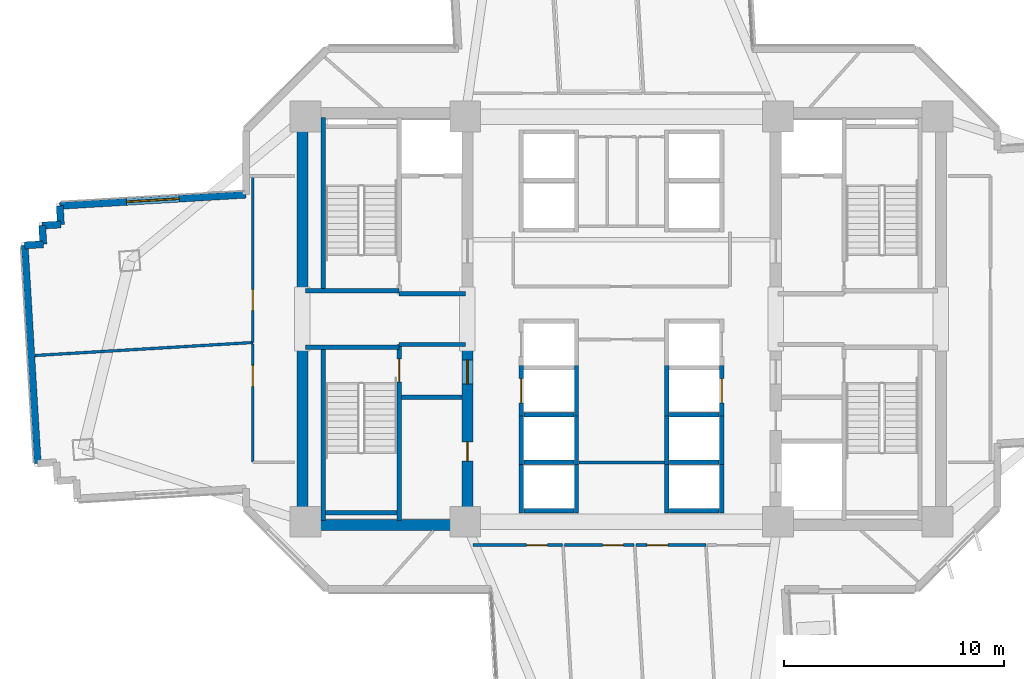
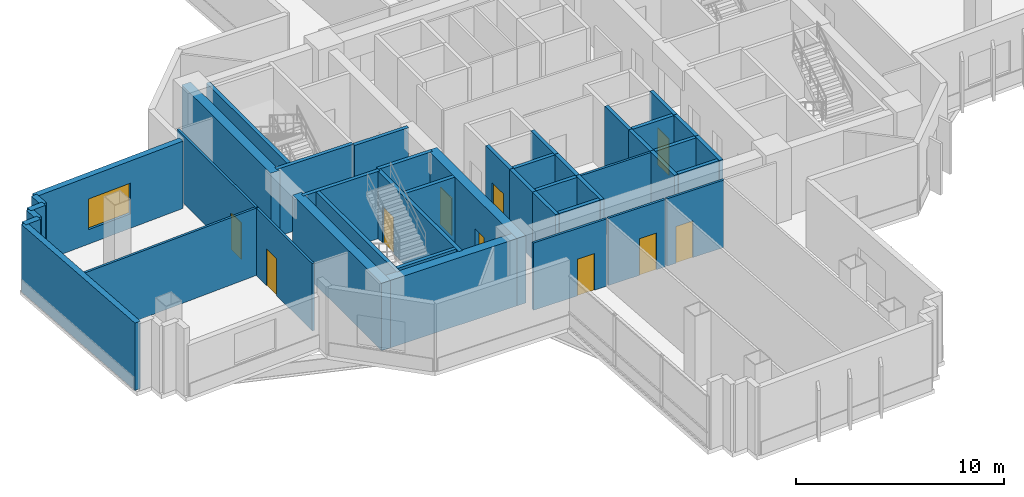
# One storey, part 6 of 15: 44 walls, 10 doors, 1 window, 11 openings.
"""IFC4 building model written with IfcOpenShell, lengths in metres."""

from ifc_helpers import new_model, si_unit, direction, frame, frame_2d, origin, place, context, subcontext, project, spatial, rectangle, extrude, source, transform, mapped, material, layer, layer_set, type_object, element, fill, save


model = new_model("IFC4")

# Units and contexts
model_context = context("Model", 3, precision=1e-05, world=origin(), true_north=direction((0.0, 1.0)))
body_context = subcontext(model_context, "Body", "Model", "MODEL_VIEW")
ifc_project = project(units=[si_unit("LENGTHUNIT", "METRE"), si_unit("AREAUNIT", "SQUARE_METRE"), si_unit("VOLUMEUNIT", "CUBIC_METRE"), si_unit("PLANEANGLEUNIT", "RADIAN"), si_unit("MASSUNIT", "GRAM", prefix="KILO")], contexts=[model_context])

# Site, building, storey
site_placement = place(None, origin())
site = spatial("IfcSite", under=ifc_project, at=site_placement, CompositionType="ELEMENT")
building_placement = place(site_placement, origin())
building = spatial("IfcBuilding", under=site, at=building_placement, Name="Zahravan Cultural Tower", CompositionType="ELEMENT")
storey_placement = place(building_placement, frame((0.0, 0.0, 75.300048828125)))
storey = spatial("IfcBuildingStorey", under=building, at=storey_placement, Name="L16", CompositionType="ELEMENT", Elevation=75.300048828125)

# Wall, openings, doors
ifc_material_1 = material(Name="Concrete C60/75", Category="concrete")
ifc_layer_1 = layer(ifc_material_1, 0.5)
ifc_layer_set_1 = layer_set([ifc_layer_1], Name="Concrete C60/75")
wall_type_1 = type_object("IfcWallType", Name="CW-SHEAR-500-C60", PredefinedType="SHEAR", material=ifc_layer_set_1)
wall_1_placement = place(storey_placement, frame((29.0, 17.39990234375, 0.0), z_axis=(0.0, 0.0, 1.0), x_axis=(0.0, 1.0, 0.0)))
wall_1 = element("IfcWall", 1, at=wall_1_placement, inside=storey, type_object=wall_type_1, Name="L16 Core Shear Wall CW-W-ES-L16", PredefinedType="SHEAR", context=body_context, shape_type="SweptSolid", body=[
    extrude(rectangle(XDim=8.550048828125, YDim=0.5, at=frame_2d((4.27490234375, 0.0))), origin(), (0.0, 0.0, 1.0), 3.949951171875),
])
opening_1_placement = place(wall_1_placement, frame((6.64990234375, 0.0, 0.0)))
opening_1 = element("IfcOpeningElement", 2, at=opening_1_placement, cuts=wall_1, Name="Opening D-L16-07", PredefinedType="OPENING", context=body_context, shape_type="SweptSolid", body=[
    extrude(rectangle(XDim=1.10009765625, YDim=2.199951171875, at=frame_2d((0.550048828125, 1.10009765625))), frame((0.0, 0.260009765625, 0.0), z_axis=(0.0, -1.0, 0.0), x_axis=(1.0, 0.0, 0.0)), (0.0, 0.0, 1.0), 0.52001953125),
])
opening_2_placement = place(wall_1_placement, frame((3.14990234375, 0.0, 0.0)))
opening_2 = element("IfcOpeningElement", 3, at=opening_2_placement, cuts=wall_1, Name="Opening D-L16-09", PredefinedType="OPENING", context=body_context, shape_type="SweptSolid", body=[
    extrude(rectangle(XDim=0.8798828125, YDim=2.10009765625, at=frame_2d((0.43994140625, 1.050048828125))), frame((0.0, 0.260009765625, 0.0), z_axis=(0.0, -1.0, 0.0), x_axis=(1.0, 0.0, 0.0)), (0.0, 0.0, 1.0), 0.52001953125),
])
ifc_material_2 = material(Name="Steel ASTM A572 Grade 50", Category="steel")
door_type_1 = type_object("IfcDoorType", Name="DR-LOBBY-1100", OperationType="NOTDEFINED", PredefinedType="DOOR", material=ifc_material_2)
shared_shape_1 = source(origin(), body_context, "Body", "SweptSolid", [
    extrude(rectangle(XDim=1.10009765625, YDim=2.199951171875, at=frame_2d((0.550048828125, 1.10009765625))), frame((0.0, 0.02490234375, 0.0), z_axis=(0.0, -1.0, 0.0), x_axis=(1.0, 0.0, 0.0)), (0.0, 0.0, 1.0), 0.050048828125),
])
door_1_placement = place(opening_1_placement, origin())
door_1 = element("IfcDoor", 4, at=door_1_placement, inside=storey, type_object=door_type_1, Name="L16 Door D-L16-07", OperationType="SINGLE_SWING_RIGHT", OverallHeight=2.199951171875, OverallWidth=1.10009765625, PredefinedType="DOOR", context=body_context, shape_type="MappedRepresentation", body=[
    mapped(shared_shape_1, transform((0.0, 0.0, 0.0), x_axis=(1.0, 0.0, 0.0), y_axis=(0.0, 1.0, 0.0), z_axis=(0.0, 0.0, 1.0), scale=1.0)),
])
fill(opening_1, door_1)
door_type_2 = type_object("IfcDoorType", Name="DR-SVC-880", OperationType="NOTDEFINED", PredefinedType="DOOR", material=ifc_material_2)
shared_shape_2 = source(origin(), body_context, "Body", "SweptSolid", [
    extrude(rectangle(XDim=0.8798828125, YDim=2.10009765625, at=frame_2d((0.43994140625, 1.050048828125))), frame((0.0, 0.02490234375, 0.0), z_axis=(0.0, -1.0, 0.0), x_axis=(1.0, 0.0, 0.0)), (0.0, 0.0, 1.0), 0.050048828125),
])
door_2_placement = place(opening_2_placement, origin())
door_2 = element("IfcDoor", 5, at=door_2_placement, inside=storey, type_object=door_type_2, Name="L16 Door D-L16-09", OperationType="SINGLE_SWING_RIGHT", OverallHeight=2.10009765625, OverallWidth=0.8798828125, PredefinedType="DOOR", context=body_context, shape_type="MappedRepresentation", body=[
    mapped(shared_shape_2, transform((0.0, 0.0, 0.0), x_axis=(1.0, 0.0, 0.0), y_axis=(0.0, 1.0, 0.0), z_axis=(0.0, 0.0, 1.0), scale=1.0)),
])
fill(opening_2, door_2)

# Wall, opening, window
ifc_material_3 = material(Name="Precast concrete C40/50", Category="concrete")
ifc_layer_2 = layer(ifc_material_3, 0.320068359375)
ifc_layer_set_2 = layer_set([ifc_layer_2], Name="Precast concrete C40/50")
wall_type_2 = type_object("IfcWallType", Name="EW-TC-320", PredefinedType="SOLIDWALL", material=ifc_layer_set_2)
wall_2_placement = place(storey_placement, frame((10.487548828125, 32.147216796875, 0.0), z_axis=(0.0, 0.0, 1.0), x_axis=(0.998219055518, 0.059654984716, 0.0)))
wall_2 = element("IfcWall", 6, at=wall_2_placement, inside=storey, type_object=wall_type_2, Name="L16 Exterior Masonry Frame Wall 38", PredefinedType="SOLIDWALL", context=body_context, shape_type="SweptSolid", body=[
    extrude(rectangle(XDim=8.467529296875, YDim=0.320068359375, at=frame_2d((4.23388671875, 0.0))), origin(), (0.0, 0.0, 1.0), 3.949951171875),
])
opening_3_placement = place(wall_2_placement, frame((3.033935546875, 0.0, 0.85009765625)))
opening_3 = element("IfcOpeningElement", 7, at=opening_3_placement, cuts=wall_2, Name="Opening WN-01", PredefinedType="OPENING", context=body_context, shape_type="SweptSolid", body=[
    extrude(rectangle(XDim=2.39990234375, YDim=1.800048828125, at=frame_2d((1.199951171875, 0.89990234375))), frame((0.0, 0.169921875, 0.0), z_axis=(0.0, -1.0, 0.0), x_axis=(1.0, 0.0, 0.0)), (0.0, 0.0, 1.0), 0.340087890625),
])
ifc_material_4 = material(Name="Low-E solar-control double glazing", Category="glass")
window_type = type_object("IfcWindowType", Name="WN-REC-2400X1800", PartitioningType="DOUBLE_PANEL_VERTICAL", PredefinedType="WINDOW", material=ifc_material_4)
shared_shape_3 = source(origin(), body_context, "Body", "SweptSolid", [
    extrude(rectangle(XDim=2.39990234375, YDim=1.800048828125, at=frame_2d((1.199951171875, 0.89990234375))), frame((0.0, 0.030029296875, 0.0), z_axis=(0.0, -1.0, 0.0), x_axis=(1.0, 0.0, 0.0)), (0.0, 0.0, 1.0), 0.06005859375),
])
window_placement = place(opening_3_placement, origin())
window = element("IfcWindow", 8, at=window_placement, inside=storey, type_object=window_type, Name="L16 Recessed Solar Window 08", OverallHeight=1.800048828125, OverallWidth=2.39990234375, PartitioningType="DOUBLE_PANEL_VERTICAL", PredefinedType="WINDOW", context=body_context, shape_type="MappedRepresentation", body=[
    mapped(shared_shape_3, transform((0.0, 0.0, 0.0), x_axis=(1.0, 0.0, 0.0), y_axis=(0.0, 1.0, 0.0), z_axis=(0.0, 0.0, 1.0), scale=1.0)),
])
fill(opening_3, window)

# Wall, opening, door
ifc_material_5 = material(Name="Gypsum plasterboard partition")
ifc_layer_3 = layer(ifc_material_5, 0.125)
ifc_layer_set_3 = layer_set([ifc_layer_3], Name="Gypsum plasterboard partition")
wall_type_3 = type_object("IfcWallType", Name="W-PART-125", PredefinedType="PARTITIONING", material=ifc_layer_set_3)
wall_3_placement = place(storey_placement, frame((36.66064453125, 16.739990234375, 0.0), z_axis=(0.0, 0.0, 1.0), x_axis=(1.0, 0.0, 0.0)))
wall_3 = element("IfcWall", 9, at=wall_3_placement, inside=storey, type_object=wall_type_3, Name="L16 Interior Wall 080", PredefinedType="PARTITIONING", context=body_context, shape_type="SweptSolid", body=[
    extrude(rectangle(XDim=3.168212890625, YDim=0.125, at=frame_2d((1.583984375, 0.0))), origin(), (0.0, 0.0, 1.0), 3.949951171875),
])
opening_4_placement = place(wall_3_placement, frame((0.488037109375, 0.0, 0.0)))
opening_4 = element("IfcOpeningElement", 10, at=opening_4_placement, cuts=wall_3, Name="Opening D-L16-24", PredefinedType="OPENING", context=body_context, shape_type="SweptSolid", body=[
    extrude(rectangle(XDim=0.949951171875, YDim=2.14990234375, at=frame_2d((0.47509765625, 1.074951171875))), frame((0.0, 0.072509765625, 0.0), z_axis=(0.0, -1.0, 0.0), x_axis=(1.0, 0.0, 0.0)), (0.0, 0.0, 1.0), 0.14501953125),
])
ifc_material_6 = material(Name="Anodised bronze-aluminium mullion", Category="aluminium")
door_type_3 = type_object("IfcDoorType", Name="DR-ROOM-950", OperationType="NOTDEFINED", PredefinedType="DOOR", material=ifc_material_6)
shared_shape_4 = source(origin(), body_context, "Body", "SweptSolid", [
    extrude(rectangle(XDim=0.949951171875, YDim=2.14990234375, at=frame_2d((0.47509765625, 1.074951171875))), frame((0.0, 0.02490234375, 0.0), z_axis=(0.0, -1.0, 0.0), x_axis=(1.0, 0.0, 0.0)), (0.0, 0.0, 1.0), 0.050048828125),
])
door_3_placement = place(opening_4_placement, origin())
door_3 = element("IfcDoor", 11, at=door_3_placement, inside=storey, type_object=door_type_3, Name="L16 Door D-L16-24", OperationType="SINGLE_SWING_LEFT", OverallHeight=2.14990234375, OverallWidth=0.949951171875, PredefinedType="DOOR", context=body_context, shape_type="MappedRepresentation", body=[
    mapped(shared_shape_4, transform((0.0, 0.0, 0.0), x_axis=(1.0, 0.0, 0.0), y_axis=(0.0, 1.0, 0.0), z_axis=(0.0, 0.0, 1.0), scale=1.0)),
])
fill(opening_4, door_3)

wall_4_placement = place(storey_placement, frame((33.40478515625, 16.739990234375, 0.0), z_axis=(0.0, 0.0, 1.0), x_axis=(1.0, 0.0, 0.0)))
wall_4 = element("IfcWall", 12, at=wall_4_placement, inside=storey, type_object=wall_type_3, Name="L16 Interior Wall 083", PredefinedType="PARTITIONING", context=body_context, shape_type="SweptSolid", body=[
    extrude(rectangle(XDim=3.168212890625, YDim=0.125, at=frame_2d((1.583984375, 0.0))), origin(), (0.0, 0.0, 1.0), 3.949951171875),
])
opening_5_placement = place(wall_4_placement, frame((1.730224609375, 0.0, 0.0)))
opening_5 = element("IfcOpeningElement", 13, at=opening_5_placement, cuts=wall_4, Name="Opening D-L16-23", PredefinedType="OPENING", context=body_context, shape_type="SweptSolid", body=[
    extrude(rectangle(XDim=0.949951171875, YDim=2.14990234375, at=frame_2d((0.47509765625, 1.074951171875))), frame((0.0, 0.072509765625, 0.0), z_axis=(0.0, -1.0, 0.0), x_axis=(1.0, 0.0, 0.0)), (0.0, 0.0, 1.0), 0.14501953125),
])
door_4_placement = place(opening_5_placement, origin())
door_4 = element("IfcDoor", 14, at=door_4_placement, inside=storey, type_object=door_type_3, Name="L16 Door D-L16-23", OperationType="SINGLE_SWING_RIGHT", OverallHeight=2.14990234375, OverallWidth=0.949951171875, PredefinedType="DOOR", context=body_context, shape_type="MappedRepresentation", body=[
    mapped(shared_shape_4, transform((0.0, 0.0, 0.0), x_axis=(1.0, 0.0, 0.0), y_axis=(0.0, 1.0, 0.0), z_axis=(0.0, 0.0, 1.0), scale=1.0)),
])
fill(opening_5, door_4)

wall_5_placement = place(storey_placement, frame((29.257568359375, 16.740234375, 0.0), z_axis=(0.0, 0.0, 1.0), x_axis=(0.999999998192, -6.0135907e-05, 0.0)))
wall_5 = element("IfcWall", 15, at=wall_5_placement, inside=storey, type_object=wall_type_3, Name="L16 Interior Wall 087", PredefinedType="PARTITIONING", context=body_context, shape_type="SweptSolid", body=[
    extrude(rectangle(XDim=4.059814453125, YDim=0.125, at=frame_2d((2.02978515625, 0.0))), origin(), (0.0, 0.0, 1.0), 3.949951171875),
])
opening_6_placement = place(wall_5_placement, frame((2.425537109375, 0.0, 0.0)))
opening_6 = element("IfcOpeningElement", 16, at=opening_6_placement, cuts=wall_5, Name="Opening D-L16-22", PredefinedType="OPENING", context=body_context, shape_type="SweptSolid", body=[
    extrude(rectangle(XDim=0.949951171875, YDim=2.14990234375, at=frame_2d((0.47509765625, 1.074951171875))), frame((0.0, 0.072509765625, 0.0), z_axis=(0.0, -1.0, 0.0), x_axis=(1.0, 0.0, 0.0)), (0.0, 0.0, 1.0), 0.14501953125),
])
door_5_placement = place(opening_6_placement, origin())
door_5 = element("IfcDoor", 17, at=door_5_placement, inside=storey, type_object=door_type_3, Name="L16 Door D-L16-22", OperationType="SINGLE_SWING_LEFT", OverallHeight=2.14990234375, OverallWidth=0.949951171875, PredefinedType="DOOR", context=body_context, shape_type="MappedRepresentation", body=[
    mapped(shared_shape_4, transform((0.0, 0.0, 0.0), x_axis=(1.0, 0.0, 0.0), y_axis=(0.0, 1.0, 0.0), z_axis=(0.0, 0.0, 1.0), scale=1.0)),
])
fill(opening_6, door_5)

wall_6_placement = place(storey_placement, frame((19.252685546875, 33.497314453125, 0.0), z_axis=(0.0, 0.0, 1.0), x_axis=(-0.000355308612, -0.999999936878, 0.0)))
wall_6 = element("IfcWall", 18, at=wall_6_placement, inside=storey, type_object=wall_type_3, Name="L16 Interior Wall 094", PredefinedType="PARTITIONING", context=body_context, shape_type="SweptSolid", body=[
    extrude(rectangle(XDim=7.558349609375, YDim=0.125, at=frame_2d((3.779296875, 0.0))), origin(), (0.0, 0.0, 1.0), 3.949951171875),
])
opening_7_placement = place(wall_6_placement, frame((5.154541015625, 0.0, 0.0)))
opening_7 = element("IfcOpeningElement", 19, at=opening_7_placement, cuts=wall_6, Name="Opening D-L16-20", PredefinedType="OPENING", context=body_context, shape_type="SweptSolid", body=[
    extrude(rectangle(XDim=0.949951171875, YDim=2.14990234375, at=frame_2d((0.47509765625, 1.074951171875))), frame((0.0, 0.072509765625, 0.0), z_axis=(0.0, -1.0, 0.0), x_axis=(1.0, 0.0, 0.0)), (0.0, 0.0, 1.0), 0.14501953125),
])
door_6_placement = place(opening_7_placement, origin())
door_6 = element("IfcDoor", 20, at=door_6_placement, inside=storey, type_object=door_type_3, Name="L16 Door D-L16-20", OperationType="SINGLE_SWING_LEFT", OverallHeight=2.14990234375, OverallWidth=0.949951171875, PredefinedType="DOOR", context=body_context, shape_type="MappedRepresentation", body=[
    mapped(shared_shape_4, transform((0.0, 0.0, 0.0), x_axis=(1.0, 0.0, 0.0), y_axis=(0.0, 1.0, 0.0), z_axis=(0.0, 0.0, 1.0), scale=1.0)),
])
fill(opening_7, door_6)

wall_7_placement = place(storey_placement, frame((19.25, 25.871337890625, 0.0), z_axis=(0.0, 0.0, 1.0), x_axis=(9.0962841e-05, -0.999999995863, 0.0)))
wall_7 = element("IfcWall", 21, at=wall_7_placement, inside=storey, type_object=wall_type_3, Name="L16 Interior Wall 097", PredefinedType="PARTITIONING", context=body_context, shape_type="SweptSolid", body=[
    extrude(rectangle(XDim=5.367919921875, YDim=0.125, at=frame_2d((2.68408203125, 0.0))), origin(), (0.0, 0.0, 1.0), 3.949951171875),
])
opening_8_placement = place(wall_7_placement, frame((0.971923828125, 0.0, 0.0)))
opening_8 = element("IfcOpeningElement", 22, at=opening_8_placement, cuts=wall_7, Name="Opening D-L16-21", PredefinedType="OPENING", context=body_context, shape_type="SweptSolid", body=[
    extrude(rectangle(XDim=0.949951171875, YDim=2.14990234375, at=frame_2d((0.47509765625, 1.074951171875))), frame((0.0, 0.072509765625, 0.0), z_axis=(0.0, -1.0, 0.0), x_axis=(1.0, 0.0, 0.0)), (0.0, 0.0, 1.0), 0.14501953125),
])
door_7_placement = place(opening_8_placement, origin())
door_7 = element("IfcDoor", 23, at=door_7_placement, inside=storey, type_object=door_type_3, Name="L16 Door D-L16-21", OperationType="SINGLE_SWING_RIGHT", OverallHeight=2.14990234375, OverallWidth=0.949951171875, PredefinedType="DOOR", context=body_context, shape_type="MappedRepresentation", body=[
    mapped(shared_shape_4, transform((0.0, 0.0, 0.0), x_axis=(1.0, 0.0, 0.0), y_axis=(0.0, 1.0, 0.0), z_axis=(0.0, 0.0, 1.0), scale=1.0)),
])
fill(opening_8, door_7)

ifc_material_7 = material(Name="Concrete C45/55", Category="concrete")
ifc_layer_4 = layer(ifc_material_7, 0.199951171875)
ifc_layer_set_4 = layer_set([ifc_layer_4], Name="Concrete C45/55")
wall_type_4 = type_object("IfcWallType", Name="W-SHAFT-200", PredefinedType="SOLIDWALL", material=ifc_layer_set_4)
wall_8_placement = place(storey_placement, frame((25.89990234375, 17.85009765625, 0.0), z_axis=(0.0, 0.0, 1.0), x_axis=(0.0, 1.0, 0.0)))
wall_8 = element("IfcWall", 24, at=wall_8_placement, inside=storey, type_object=wall_type_4, Name="L16 Interior Wall 005", PredefinedType="SOLIDWALL", context=body_context, shape_type="SweptSolid", body=[
    extrude(rectangle(XDim=8.0, YDim=0.199951171875, at=frame_2d((4.0, 0.0))), origin(), (0.0, 0.0, 1.0), 3.949951171875),
])
opening_9_placement = place(wall_8_placement, frame((6.300048828125, 0.0, 0.0)))
opening_9 = element("IfcOpeningElement", 25, at=opening_9_placement, cuts=wall_8, Name="Opening D-L16-04", PredefinedType="OPENING", context=body_context, shape_type="SweptSolid", body=[
    extrude(rectangle(XDim=1.050048828125, YDim=2.14990234375, at=frame_2d((0.52490234375, 1.074951171875))), frame((0.0, 0.10986328125, 0.0), z_axis=(0.0, -1.0, 0.0), x_axis=(1.0, 0.0, 0.0)), (0.0, 0.0, 1.0), 0.219970703125),
])
door_type_4 = type_object("IfcDoorType", Name="DR-STAIR-1050", OperationType="NOTDEFINED", PredefinedType="DOOR", material=ifc_material_2)
shared_shape_5 = source(origin(), body_context, "Body", "SweptSolid", [
    extrude(rectangle(XDim=1.050048828125, YDim=2.14990234375, at=frame_2d((0.52490234375, 1.074951171875))), frame((0.0, 0.02490234375, 0.0), z_axis=(0.0, -1.0, 0.0), x_axis=(1.0, 0.0, 0.0)), (0.0, 0.0, 1.0), 0.050048828125),
])
door_8_placement = place(opening_9_placement, origin())
door_8 = element("IfcDoor", 26, at=door_8_placement, inside=storey, type_object=door_type_4, Name="L16 Door D-L16-04", OperationType="SINGLE_SWING_LEFT", OverallHeight=2.14990234375, OverallWidth=1.050048828125, PredefinedType="DOOR", context=body_context, shape_type="MappedRepresentation", body=[
    mapped(shared_shape_5, transform((0.0, 0.0, 0.0), x_axis=(1.0, 0.0, 0.0), y_axis=(0.0, 1.0, 0.0), z_axis=(0.0, 0.0, 1.0), scale=1.0)),
])
fill(opening_9, door_8)

wall_9_placement = place(storey_placement, frame((31.449951171875, 22.60009765625, 0.0), z_axis=(0.0, 0.0, 1.0), x_axis=(0.0, 1.0, 0.0)))
wall_9 = element("IfcWall", 27, at=wall_9_placement, inside=storey, type_object=wall_type_4, Name="L16 Interior Wall 058", PredefinedType="SOLIDWALL", context=body_context, shape_type="SweptSolid", body=[
    extrude(rectangle(XDim=2.2998046875, YDim=0.199951171875, at=frame_2d((1.14990234375, 0.0))), origin(), (0.0, 0.0, 1.0), 3.949951171875),
])
opening_10_placement = place(wall_9_placement, frame((0.60009765625, 0.0, 0.0)))
opening_10 = element("IfcOpeningElement", 28, at=opening_10_placement, cuts=wall_9, Name="Opening LD-L16-05", PredefinedType="OPENING", context=body_context, shape_type="SweptSolid", body=[
    extrude(rectangle(XDim=1.10009765625, YDim=2.14990234375, at=frame_2d((0.550048828125, 1.074951171875))), frame((0.0, 0.10986328125, 0.0), z_axis=(0.0, -1.0, 0.0), x_axis=(1.0, 0.0, 0.0)), (0.0, 0.0, 1.0), 0.219970703125),
])
door_type_5 = type_object("IfcDoorType", Name="DR-LIFT-1100", OperationType="DOUBLE_DOOR_SLIDING", PredefinedType="DOOR", material=ifc_material_2)
shared_shape_6 = source(origin(), body_context, "Body", "SweptSolid", [
    extrude(rectangle(XDim=1.10009765625, YDim=2.14990234375, at=frame_2d((0.550048828125, 1.074951171875))), frame((0.0, 0.02490234375, 0.0), z_axis=(0.0, -1.0, 0.0), x_axis=(1.0, 0.0, 0.0)), (0.0, 0.0, 1.0), 0.050048828125),
])
door_9_placement = place(opening_10_placement, origin())
door_9 = element("IfcDoor", 29, at=door_9_placement, inside=storey, type_object=door_type_5, Name="L16 Door LD-L16-05", OperationType="DOUBLE_DOOR_SLIDING", OverallHeight=2.14990234375, OverallWidth=1.10009765625, PredefinedType="DOOR", context=body_context, shape_type="MappedRepresentation", body=[
    mapped(shared_shape_6, transform((0.0, 0.0, 0.0), x_axis=(1.0, 0.0, 0.0), y_axis=(0.0, 1.0, 0.0), z_axis=(0.0, 0.0, 1.0), scale=1.0)),
])
fill(opening_10, door_9)

wall_10_placement = place(storey_placement, frame((40.550048828125, 22.60009765625, 0.0), z_axis=(0.0, 0.0, 1.0), x_axis=(0.0, 1.0, 0.0)))
wall_10 = element("IfcWall", 30, at=wall_10_placement, inside=storey, type_object=wall_type_4, Name="L16 Interior Wall 065", PredefinedType="SOLIDWALL", context=body_context, shape_type="SweptSolid", body=[
    extrude(rectangle(XDim=2.2998046875, YDim=0.199951171875, at=frame_2d((1.14990234375, 0.0))), origin(), (0.0, 0.0, 1.0), 3.949951171875),
])
opening_11_placement = place(wall_10_placement, frame((0.60009765625, 0.0, 0.0)))
opening_11 = element("IfcOpeningElement", 31, at=opening_11_placement, cuts=wall_10, Name="Opening LD-L16-07", PredefinedType="OPENING", context=body_context, shape_type="SweptSolid", body=[
    extrude(rectangle(XDim=1.10009765625, YDim=2.14990234375, at=frame_2d((0.550048828125, 1.074951171875))), frame((0.0, 0.10986328125, 0.0), z_axis=(0.0, -1.0, 0.0), x_axis=(1.0, 0.0, 0.0)), (0.0, 0.0, 1.0), 0.219970703125),
])
door_10_placement = place(opening_11_placement, origin())
door_10 = element("IfcDoor", 32, at=door_10_placement, inside=storey, type_object=door_type_5, Name="L16 Door LD-L16-07", OperationType="DOUBLE_DOOR_SLIDING", OverallHeight=2.14990234375, OverallWidth=1.10009765625, PredefinedType="DOOR", context=body_context, shape_type="MappedRepresentation", body=[
    mapped(shared_shape_6, transform((0.0, 0.0, 0.0), x_axis=(1.0, 0.0, 0.0), y_axis=(0.0, 1.0, 0.0), z_axis=(0.0, 0.0, 1.0), scale=1.0)),
])
fill(opening_11, door_10)

# Walls
shared_shape_7 = source(origin(), body_context, "Body", "SweptSolid", [
    extrude(rectangle(XDim=8.550048828125, YDim=0.5, at=frame_2d((4.27490234375, 0.0))), origin(), (0.0, 0.0, 1.0), 3.949951171875),
])
for number, where, z_axis, x_axis, name in (
    (33, (21.5, 17.39990234375, 0.0), (0.0, 0.0, 1.0), (0.0, 1.0, 0.0), "L16 Core Shear Wall CW-W-WS-L16"),
    (34, (21.5, 28.050048828125, 0.0), (0.0, 0.0, 1.0), (0.0, 1.0, 0.0), "L16 Core Shear Wall CW-W-WN-L16"),
):
    element("IfcWall", number, at=place(storey_placement, frame(where, z_axis=z_axis, x_axis=x_axis)), inside=storey, type_object=wall_type_1, Name=name, PredefinedType="SHEAR", context=body_context, shape_type="MappedRepresentation", body=[
        mapped(shared_shape_7, transform((0.0, 0.0, 0.0), x_axis=(1.0, 0.0, 0.0), y_axis=(0.0, 1.0, 0.0), z_axis=(0.0, 0.0, 1.0), scale=1.0)),
    ])
shared_shape_8 = source(origin(), body_context, "Body", "SweptSolid", [
    extrude(rectangle(XDim=7.0, YDim=0.5, at=frame_2d((3.5, 0.0))), origin(), (0.0, 0.0, 1.0), 3.949951171875),
])
wall_11_placement = place(storey_placement, frame((21.75, 17.64990234375, 0.0), z_axis=(0.0, 0.0, 1.0), x_axis=(1.0, 0.0, 0.0)))
element("IfcWall", 35, at=wall_11_placement, inside=storey, type_object=wall_type_1, Name="L16 Core Shear Wall CW-W-S-L16", PredefinedType="SHEAR", context=body_context, shape_type="MappedRepresentation", body=[
    mapped(shared_shape_8, transform((0.0, 0.0, 0.0), x_axis=(1.0, 0.0, 0.0), y_axis=(0.0, 1.0, 0.0), z_axis=(0.0, 0.0, 1.0), scale=1.0)),
])
shared_shape_9 = source(origin(), body_context, "Body", "SweptSolid", [
    extrude(rectangle(XDim=0.849853515625, YDim=0.320068359375, at=frame_2d((0.4248046875, 0.0))), origin(), (0.0, 0.0, 1.0), 3.949951171875),
])
wall_12_placement = place(storey_placement, frame((9.689697265625, 31.248046875, 0.0), z_axis=(0.0, 0.0, 1.0), x_axis=(0.998230513845, 0.059462939961, 0.0)))
element("IfcWall", 36, at=wall_12_placement, inside=storey, type_object=wall_type_2, Name="L16 Exterior Masonry Frame Wall 36", PredefinedType="SOLIDWALL", context=body_context, shape_type="MappedRepresentation", body=[
    mapped(shared_shape_9, transform((0.0, 0.0, 0.0), x_axis=(1.0, 0.0, 0.0), y_axis=(0.0, 1.0, 0.0), z_axis=(0.0, 0.0, 1.0), scale=1.0)),
])
shared_shape_10 = source(origin(), body_context, "Body", "SweptSolid", [
    extrude(rectangle(XDim=0.85009765625, YDim=0.320068359375, at=frame_2d((0.425048828125, 0.0))), origin(), (0.0, 0.0, 1.0), 3.949951171875),
])
for number, where, z_axis, x_axis, name in (
    (37, (8.891845703125, 30.348876953125, 0.0), (0.0, 0.0, 1.0), (0.998231529116, 0.059445893707, 0.0), "L16 Exterior Masonry Frame Wall 34"),
    (38, (9.740478515625, 30.3994140625, 0.0), (0.0, 0.0, 1.0), (-0.059732049764, 0.998214447016, 0.0), "L16 Exterior Masonry Frame Wall 35"),
    (39, (10.5380859375, 31.298583984375, 0.0), (0.0, 0.0, 1.0), (-0.059445893707, 0.998231529116, 0.0), "L16 Exterior Masonry Frame Wall 37"),
):
    element("IfcWall", number, at=place(storey_placement, frame(where, z_axis=z_axis, x_axis=x_axis)), inside=storey, type_object=wall_type_2, Name=name, PredefinedType="SOLIDWALL", context=body_context, shape_type="MappedRepresentation", body=[
        mapped(shared_shape_10, transform((0.0, 0.0, 0.0), x_axis=(1.0, 0.0, 0.0), y_axis=(0.0, 1.0, 0.0), z_axis=(0.0, 0.0, 1.0), scale=1.0)),
    ])
shared_shape_11 = source(origin(), body_context, "Body", "SweptSolid", [
    extrude(rectangle(XDim=9.919921875, YDim=0.320068359375, at=frame_2d((4.9599609375, 0.0))), origin(), (0.0, 0.0, 1.0), 3.949951171875),
])
wall_13_placement = place(storey_placement, frame((9.483642578125, 20.446533203125, 0.0), z_axis=(0.0, 0.0, 1.0), x_axis=(-0.059656871726, 0.998218942745, 0.0)))
element("IfcWall", 40, at=wall_13_placement, inside=storey, type_object=wall_type_2, Name="L16 Exterior Masonry Frame Wall 33", PredefinedType="SOLIDWALL", context=body_context, shape_type="MappedRepresentation", body=[
    mapped(shared_shape_11, transform((0.0, 0.0, 0.0), x_axis=(1.0, 0.0, 0.0), y_axis=(0.0, 1.0, 0.0), z_axis=(0.0, 0.0, 1.0), scale=1.0)),
])
shared_shape_12 = source(origin(), body_context, "Body", "SweptSolid", [
    extrude(rectangle(XDim=7.869873046875, YDim=0.199951171875, at=frame_2d((3.93505859375, 0.0))), origin(), (0.0, 0.0, 1.0), 3.949951171875),
])
for number, where, z_axis, x_axis, name in (
    (41, (22.449951171875, 17.85009765625, 0.0), (0.0, 0.0, 1.0), (0.0, 1.0, 0.0), "L16 Interior Wall 001"),
    (42, (22.449951171875, 28.280029296875, 0.0), (0.0, 0.0, 1.0), (0.0, 1.0, 0.0), "L16 Interior Wall 002"),
):
    element("IfcWall", number, at=place(storey_placement, frame(where, z_axis=z_axis, x_axis=x_axis)), inside=storey, type_object=wall_type_4, Name=name, PredefinedType="SOLIDWALL", context=body_context, shape_type="MappedRepresentation", body=[
        mapped(shared_shape_12, transform((0.0, 0.0, 0.0), x_axis=(1.0, 0.0, 0.0), y_axis=(0.0, 1.0, 0.0), z_axis=(0.0, 0.0, 1.0), scale=1.0)),
    ])
shared_shape_13 = source(origin(), body_context, "Body", "SweptSolid", [
    extrude(rectangle(XDim=4.25, YDim=0.199951171875, at=frame_2d((2.125, 0.0))), origin(), (0.0, 0.0, 1.0), 3.949951171875),
])
for number, where, z_axis, x_axis, name in (
    (43, (21.64990234375, 25.715087890625, 0.0), (0.0, 0.0, 1.0), (1.0, 0.0, 0.0), "L16 Interior Wall 009"),
    (44, (21.64990234375, 28.284912109375, 0.0), (0.0, 0.0, 1.0), (1.0, 0.0, 0.0), "L16 Interior Wall 011"),
):
    element("IfcWall", number, at=place(storey_placement, frame(where, z_axis=z_axis, x_axis=x_axis)), inside=storey, type_object=wall_type_4, Name=name, PredefinedType="SOLIDWALL", context=body_context, shape_type="MappedRepresentation", body=[
        mapped(shared_shape_13, transform((0.0, 0.0, 0.0), x_axis=(1.0, 0.0, 0.0), y_axis=(0.0, 1.0, 0.0), z_axis=(0.0, 0.0, 1.0), scale=1.0)),
    ])
shared_shape_14 = source(origin(), body_context, "Body", "SweptSolid", [
    extrude(rectangle(XDim=3.0, YDim=0.199951171875, at=frame_2d((1.5, 0.0))), origin(), (0.0, 0.0, 1.0), 3.949951171875),
])
for number, where, z_axis, x_axis, name in (
    (45, (25.89990234375, 25.85009765625, 0.0), (0.0, 0.0, 1.0), (1.0, 0.0, 0.0), "L16 Interior Wall 010"),
    (46, (25.89990234375, 28.14990234375, 0.0), (0.0, 0.0, 1.0), (1.0, 0.0, 0.0), "L16 Interior Wall 012"),
):
    element("IfcWall", number, at=place(storey_placement, frame(where, z_axis=z_axis, x_axis=x_axis)), inside=storey, type_object=wall_type_4, Name=name, PredefinedType="SOLIDWALL", context=body_context, shape_type="MappedRepresentation", body=[
        mapped(shared_shape_14, transform((0.0, 0.0, 0.0), x_axis=(1.0, 0.0, 0.0), y_axis=(0.0, 1.0, 0.0), z_axis=(0.0, 0.0, 1.0), scale=1.0)),
    ])
shared_shape_15 = source(origin(), body_context, "Body", "SweptSolid", [
    extrude(rectangle(XDim=3.25, YDim=0.199951171875, at=frame_2d((1.625, 0.0))), origin(), (0.0, 0.0, 1.0), 3.949951171875),
])
wall_14_placement = place(storey_placement, frame((22.550048828125, 18.199951171875, 0.0), z_axis=(0.0, 0.0, 1.0), x_axis=(1.0, 0.0, 0.0)))
element("IfcWall", 47, at=wall_14_placement, inside=storey, type_object=wall_type_4, Name="L16 Interior Wall 019", PredefinedType="SOLIDWALL", context=body_context, shape_type="MappedRepresentation", body=[
    mapped(shared_shape_15, transform((0.0, 0.0, 0.0), x_axis=(1.0, 0.0, 0.0), y_axis=(0.0, 1.0, 0.0), z_axis=(0.0, 0.0, 1.0), scale=1.0)),
])
shared_shape_16 = source(origin(), body_context, "Body", "SweptSolid", [
    extrude(rectangle(XDim=2.75, YDim=0.199951171875, at=frame_2d((1.375, 0.0))), origin(), (0.0, 0.0, 1.0), 3.949951171875),
])
wall_15_placement = place(storey_placement, frame((26.0, 23.449951171875, 0.0), z_axis=(0.0, 0.0, 1.0), x_axis=(1.0, 0.0, 0.0)))
element("IfcWall", 48, at=wall_15_placement, inside=storey, type_object=wall_type_4, Name="L16 Interior Wall 023", PredefinedType="SOLIDWALL", context=body_context, shape_type="MappedRepresentation", body=[
    mapped(shared_shape_16, transform((0.0, 0.0, 0.0), x_axis=(1.0, 0.0, 0.0), y_axis=(0.0, 1.0, 0.0), z_axis=(0.0, 0.0, 1.0), scale=1.0)),
])
shared_shape_17 = source(origin(), body_context, "Body", "SweptSolid", [
    extrude(rectangle(XDim=2.260009765625, YDim=0.199951171875, at=frame_2d((1.1298828125, 0.0))), origin(), (0.0, 0.0, 1.0), 3.949951171875),
])
for number, where, z_axis, x_axis, name in (
    (49, (31.570068359375, 20.5, 0.0), (0.0, 0.0, 1.0), (1.0, 0.0, 0.0), "L16 Interior Wall 042"),
    (50, (31.570068359375, 22.64990234375, 0.0), (0.0, 0.0, 1.0), (1.0, 0.0, 0.0), "L16 Interior Wall 043"),
    (51, (31.570068359375, 18.300048828125, 0.0), (0.0, 0.0, 1.0), (1.0, 0.0, 0.0), "L16 Interior Wall 046"),
    (52, (38.169921875, 20.5, 0.0), (0.0, 0.0, 1.0), (1.0, 0.0, 0.0), "L16 Interior Wall 049"),
    (53, (38.169921875, 22.64990234375, 0.0), (0.0, 0.0, 1.0), (1.0, 0.0, 0.0), "L16 Interior Wall 050"),
    (54, (38.169921875, 18.300048828125, 0.0), (0.0, 0.0, 1.0), (1.0, 0.0, 0.0), "L16 Interior Wall 053"),
):
    element("IfcWall", number, at=place(storey_placement, frame(where, z_axis=z_axis, x_axis=x_axis)), inside=storey, type_object=wall_type_4, Name=name, PredefinedType="SOLIDWALL", context=body_context, shape_type="MappedRepresentation", body=[
        mapped(shared_shape_17, transform((0.0, 0.0, 0.0), x_axis=(1.0, 0.0, 0.0), y_axis=(0.0, 1.0, 0.0), z_axis=(0.0, 0.0, 1.0), scale=1.0)),
    ])
shared_shape_18 = source(origin(), body_context, "Body", "SweptSolid", [
    extrude(rectangle(XDim=2.35009765625, YDim=0.199951171875, at=frame_2d((1.175048828125, 0.0))), origin(), (0.0, 0.0, 1.0), 3.949951171875),
])
for number, where, z_axis, x_axis, name in (
    (55, (31.449951171875, 20.39990234375, 0.0), (0.0, 0.0, 1.0), (0.0, 1.0, 0.0), "L16 Interior Wall 040"),
    (56, (33.949951171875, 20.39990234375, 0.0), (0.0, 0.0, 1.0), (0.0, 1.0, 0.0), "L16 Interior Wall 041"),
    (57, (31.449951171875, 18.199951171875, 0.0), (0.0, 0.0, 1.0), (0.0, 1.0, 0.0), "L16 Interior Wall 044"),
    (58, (33.949951171875, 18.199951171875, 0.0), (0.0, 0.0, 1.0), (0.0, 1.0, 0.0), "L16 Interior Wall 045"),
    (59, (38.050048828125, 20.39990234375, 0.0), (0.0, 0.0, 1.0), (0.0, 1.0, 0.0), "L16 Interior Wall 047"),
    (60, (40.550048828125, 20.39990234375, 0.0), (0.0, 0.0, 1.0), (0.0, 1.0, 0.0), "L16 Interior Wall 048"),
    (61, (38.050048828125, 18.199951171875, 0.0), (0.0, 0.0, 1.0), (0.0, 1.0, 0.0), "L16 Interior Wall 051"),
    (62, (40.550048828125, 18.199951171875, 0.0), (0.0, 0.0, 1.0), (0.0, 1.0, 0.0), "L16 Interior Wall 052"),
):
    element("IfcWall", number, at=place(storey_placement, frame(where, z_axis=z_axis, x_axis=x_axis)), inside=storey, type_object=wall_type_4, Name=name, PredefinedType="SOLIDWALL", context=body_context, shape_type="MappedRepresentation", body=[
        mapped(shared_shape_18, transform((0.0, 0.0, 0.0), x_axis=(1.0, 0.0, 0.0), y_axis=(0.0, 1.0, 0.0), z_axis=(0.0, 0.0, 1.0), scale=1.0)),
    ])
shared_shape_19 = source(origin(), body_context, "Body", "SweptSolid", [
    extrude(rectangle(XDim=2.2998046875, YDim=0.199951171875, at=frame_2d((1.14990234375, 0.0))), origin(), (0.0, 0.0, 1.0), 3.949951171875),
])
for number, where, z_axis, x_axis, name in (
    (63, (33.949951171875, 22.60009765625, 0.0), (0.0, 0.0, 1.0), (0.0, 1.0, 0.0), "L16 Interior Wall 059"),
    (64, (38.050048828125, 22.60009765625, 0.0), (0.0, 0.0, 1.0), (0.0, 1.0, 0.0), "L16 Interior Wall 064"),
):
    element("IfcWall", number, at=place(storey_placement, frame(where, z_axis=z_axis, x_axis=x_axis)), inside=storey, type_object=wall_type_4, Name=name, PredefinedType="SOLIDWALL", context=body_context, shape_type="MappedRepresentation", body=[
        mapped(shared_shape_19, transform((0.0, 0.0, 0.0), x_axis=(1.0, 0.0, 0.0), y_axis=(0.0, 1.0, 0.0), z_axis=(0.0, 0.0, 1.0), scale=1.0)),
    ])
shared_shape_20 = source(origin(), body_context, "Body", "SweptSolid", [
    extrude(rectangle(XDim=3.89013671875, YDim=0.125, at=frame_2d((1.945068359375, 0.0))), origin(), (0.0, 0.0, 1.0), 3.949951171875),
])
wall_16_placement = place(storey_placement, frame((37.945068359375, 20.489990234375, 0.0), z_axis=(0.0, 0.0, 1.0), x_axis=(-1.0, 0.0, 0.0)))
element("IfcWall", 65, at=wall_16_placement, inside=storey, type_object=wall_type_3, Name="L16 Interior Wall 075", PredefinedType="PARTITIONING", context=body_context, shape_type="MappedRepresentation", body=[
    mapped(shared_shape_20, transform((0.0, 0.0, 0.0), x_axis=(1.0, 0.0, 0.0), y_axis=(0.0, 1.0, 0.0), z_axis=(0.0, 0.0, 1.0), scale=1.0)),
])
shared_shape_21 = source(origin(), body_context, "Body", "SweptSolid", [
    extrude(rectangle(XDim=9.911376953125, YDim=0.125, at=frame_2d((4.95556640625, 0.0))), origin(), (0.0, 0.0, 1.0), 3.949951171875),
])
wall_17_placement = place(storey_placement, frame((19.25, 25.93896484375, 0.0), z_axis=(0.0, 0.0, 1.0), x_axis=(-0.998218808208, -0.05965912285, 0.0)))
element("IfcWall", 66, at=wall_17_placement, inside=storey, type_object=wall_type_3, Name="L16 Interior Wall 095", PredefinedType="PARTITIONING", context=body_context, shape_type="MappedRepresentation", body=[
    mapped(shared_shape_21, transform((0.0, 0.0, 0.0), x_axis=(1.0, 0.0, 0.0), y_axis=(0.0, 1.0, 0.0), z_axis=(0.0, 0.0, 1.0), scale=1.0)),
])

save(model, "model.ifc")
